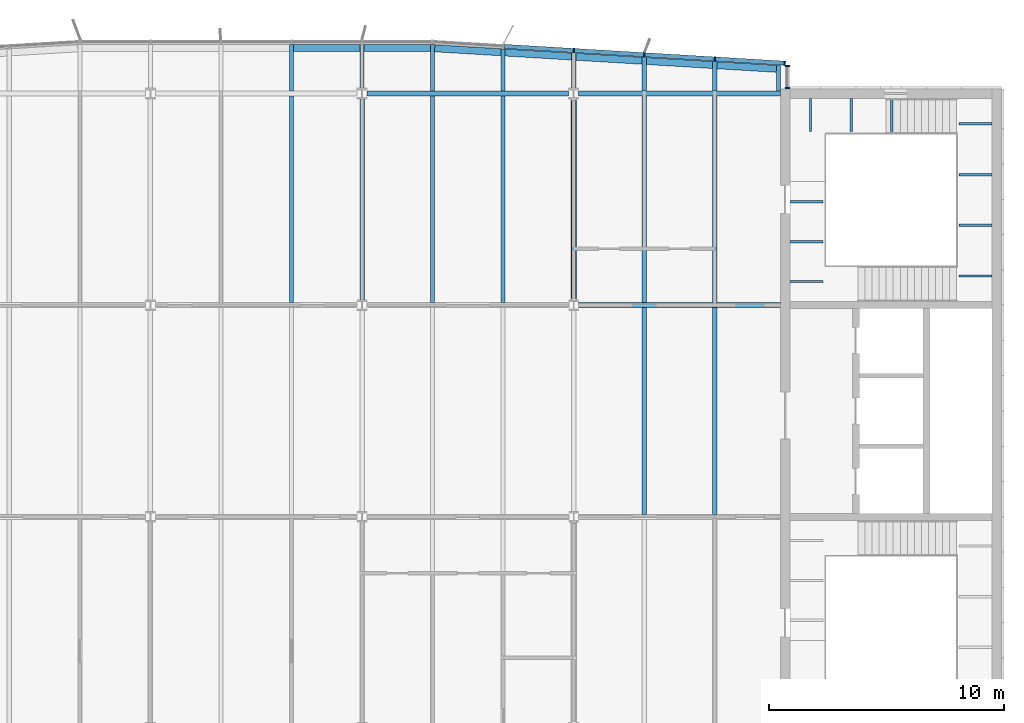
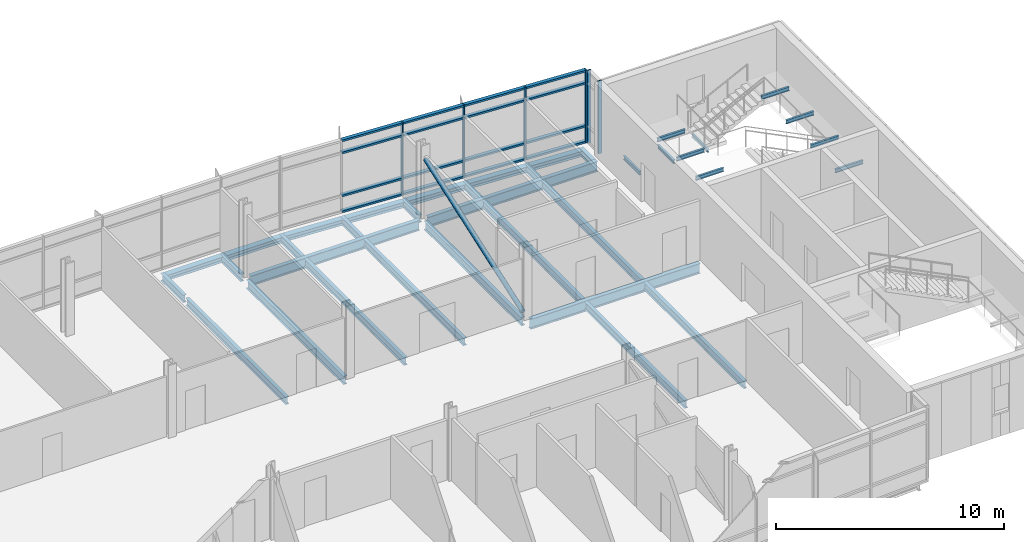
# One storey, part 7 of 17: 37 beams, 23 members, 2 elements without a shape of their own.
"""IFC4 building model written with IfcOpenShell, lengths in metres."""

from ifc_helpers import new_model, si_unit, direction, frame, origin, origin_2d, place, context, subcontext, project, spatial, rectangle, hollow_circle, i_section, extrude, material, material_profile, profile_set, type_object, element, aggregate, save


model = new_model("IFC4")

# Units and contexts
model_context = context("Model", 3, precision=1e-05, world=origin(), true_north=direction((0.0, 1.0)))
body_context = subcontext(model_context, "Body", "Model", "MODEL_VIEW")
ifc_project = project(units=[si_unit("LENGTHUNIT", "METRE"), si_unit("AREAUNIT", "SQUARE_METRE"), si_unit("VOLUMEUNIT", "CUBIC_METRE"), si_unit("PLANEANGLEUNIT", "RADIAN"), si_unit("MASSUNIT", "GRAM", prefix="KILO")], contexts=[model_context])

# Site, building, storey
site_placement = place(None, origin())
site = spatial("IfcSite", under=ifc_project, at=site_placement, CompositionType="ELEMENT")
building_placement = place(site_placement, origin())
building = spatial("IfcBuilding", under=site, at=building_placement, Name="Azimuth Sports and Learning Centre", CompositionType="ELEMENT")
storey_placement = place(building_placement, frame((0.0, 0.0, 36.300048828125)))
storey = spatial("IfcBuildingStorey", under=building, at=storey_placement, Name="L07", CompositionType="ELEMENT", Elevation=36.300048828125)

# Beams
ifc_material_1 = material(Name="Steel S355", Category="steel")
ifc_material_profile_1 = material_profile(ifc_material_1, i_section(OverallWidth=0.10009765625, OverallDepth=0.199951171875, WebThickness=0.005615234375, FlangeThickness=0.008544921875, FilletRadius=0.011962890625, at=origin_2d()), Name="IPE 200")
ifc_profile_set_1 = profile_set([ifc_material_profile_1], Name="Steel S355")
beam_type_1 = type_object("IfcBeamType", Name="Beam IPE 200", PredefinedType="BEAM", material=ifc_profile_set_1)
for number, where, z_axis, x_axis, name in (
    (1, (109.0732421875, 116.800048828125, -0.300048828125), (0.0, -1.0, 0.0), (1.0, 0.0, 0.0), "Landing bracket E2 L07 603"),
    (2, (110.800048828125, 116.800048828125, -0.300048828125), (0.0, -1.0, 0.0), (1.0, 0.0, 0.0), "Landing bracket E2 L07 604"),
    (3, (112.526611328125, 116.800048828125, -0.300048828125), (0.0, -1.0, 0.0), (1.0, 0.0, 0.0), "Landing bracket E2 L07 605"),
    (4, (116.800048828125, 109.23876953125, 1.349853515625), (-1.0, 0.0, 0.0), (0.0, -1.0, 0.0), "Landing bracket E2 L07 606"),
    (5, (116.800048828125, 111.396240234375, 1.349853515625), (-1.0, 0.0, 0.0), (0.0, -1.0, 0.0), "Landing bracket E2 L07 607"),
    (6, (116.800048828125, 113.5537109375, 1.349853515625), (-1.0, 0.0, 0.0), (0.0, -1.0, 0.0), "Landing bracket E2 L07 608"),
    (7, (116.800048828125, 115.711181640625, 1.349853515625), (-1.0, 0.0, 0.0), (0.0, -1.0, 0.0), "Landing bracket E2 L07 609"),
    (8, (108.199951171875, 109.00830078125, 3.599853515625), (1.0, 0.0, 0.0), (0.0, 1.0, 0.0), "Landing bracket E2 L07 610"),
    (9, (108.199951171875, 110.705078125, 3.599853515625), (1.0, 0.0, 0.0), (0.0, 1.0, 0.0), "Landing bracket E2 L07 611"),
    (10, (108.199951171875, 112.401611328125, 3.599853515625), (1.0, 0.0, 0.0), (0.0, 1.0, 0.0), "Landing bracket E2 L07 612"),
):
    element("IfcBeam", number, at=place(storey_placement, frame(where, z_axis=z_axis, x_axis=x_axis)), inside=storey, type_object=beam_type_1, Name=name, PredefinedType="BEAM", context=body_context, shape_type="SweptSolid", body=[
        extrude(i_section(OverallWidth=0.10009765625, OverallDepth=0.199951171875, WebThickness=0.005615234375, FlangeThickness=0.008544921875, FilletRadius=0.011962890625, at=origin_2d()), origin(), (0.0, 0.0, 1.0), 1.41015625),
    ])
ifc_material_2 = material(Name="Steel S355", Category="steel")
ifc_material_profile_2 = material_profile(ifc_material_2, i_section(OverallWidth=0.18994140625, OverallDepth=0.449951171875, WebThickness=0.009521484375, FlangeThickness=0.0146484375, FilletRadius=0.02099609375, at=origin_2d()), Name="IPE 450")
ifc_profile_set_2 = profile_set([ifc_material_profile_2], Name="Steel S355")
beam_type_2 = type_object("IfcBeamType", Name="Beam IPE 450", PredefinedType="BEAM", material=ifc_profile_set_2)
for number, where, z_axis, x_axis, name in (
    (11, (90.0, 108.217529296875, -0.35498046875), (0.0, 1.0, 0.0), (-1.0, 0.0, 0.0), "Tower tie"),
    (12, (99.0, 108.217529296875, -0.35498046875), (0.0, 1.0, 0.0), (-1.0, 0.0, 0.0), "Tower tie"),
):
    element("IfcBeam", number, at=place(storey_placement, frame(where, z_axis=z_axis, x_axis=x_axis)), inside=storey, type_object=beam_type_2, Name=name, PredefinedType="BEAM", context=body_context, shape_type="SweptSolid", body=[
        extrude(i_section(OverallWidth=0.18994140625, OverallDepth=0.449951171875, WebThickness=0.009521484375, FlangeThickness=0.0146484375, FilletRadius=0.02099609375, at=origin_2d()), origin(), (0.0, 0.0, 1.0), 8.54541015625),
    ])
ifc_material_3 = material(Name="Steel S355", Category="steel")
ifc_material_profile_3 = material_profile(ifc_material_3, i_section(OverallWidth=0.2099609375, OverallDepth=0.550048828125, WebThickness=0.010986328125, FlangeThickness=0.01708984375, FilletRadius=0.02392578125, at=origin_2d()), Name="IPE 550")
ifc_profile_set_3 = profile_set([ifc_material_profile_3], Name="Steel S355")
beam_type_3 = type_object("IfcBeamType", Name="Beam IPE 550", PredefinedType="BEAM", material=ifc_profile_set_3)
beam_1_placement = place(storey_placement, frame((99.2060546875, 108.0, -0.405029296875), z_axis=(1.0, 0.0, 0.0), x_axis=(0.0, 1.0, 0.0)))
element("IfcBeam", 13, at=beam_1_placement, inside=storey, type_object=beam_type_3, Name="Tower girder L07", PredefinedType="BEAM", context=body_context, shape_type="SweptSolid", body=[
    extrude(i_section(OverallWidth=0.2099609375, OverallDepth=0.550048828125, WebThickness=0.010986328125, FlangeThickness=0.01708984375, FilletRadius=0.02392578125, at=origin_2d()), origin(), (0.0, 0.0, 1.0), 8.593994140625),
])
beam_2_placement = place(storey_placement, frame((90.2119140625, 117.0, -0.405029296875), z_axis=(1.0, 0.0, 0.0), x_axis=(0.0, 1.0, 0.0)))
element("IfcBeam", 14, at=beam_2_placement, inside=storey, type_object=beam_type_3, Name="Tower girder L07", PredefinedType="BEAM", context=body_context, shape_type="SweptSolid", body=[
    extrude(i_section(OverallWidth=0.2099609375, OverallDepth=0.550048828125, WebThickness=0.010986328125, FlangeThickness=0.01708984375, FilletRadius=0.02392578125, at=origin_2d()), origin(), (0.0, 0.0, 1.0), 8.576171875),
])
beam_3_placement = place(storey_placement, frame((99.2119140625, 117.0, -0.405029296875), z_axis=(1.0, 0.0, 0.0), x_axis=(0.0, 1.0, 0.0)))
element("IfcBeam", 15, at=beam_3_placement, inside=storey, type_object=beam_type_3, Name="Tower girder L07", PredefinedType="BEAM", context=body_context, shape_type="SweptSolid", body=[
    extrude(i_section(OverallWidth=0.2099609375, OverallDepth=0.550048828125, WebThickness=0.010986328125, FlangeThickness=0.01708984375, FilletRadius=0.02392578125, at=origin_2d()), origin(), (0.0, 0.0, 1.0), 8.588134765625),
])

# Member
ifc_material_4 = material(Name="Steel S355", Category="steel")
ifc_material_profile_4 = material_profile(ifc_material_4, hollow_circle(Radius=0.122314453125, WallThickness=0.012451171875, at=origin_2d()), Name="CHS 244.5x12.5")
ifc_profile_set_4 = profile_set([ifc_material_profile_4], Name="Steel S355")
member_type_1 = type_object("IfcMemberType", Name="Brace CHS 244.5x12.5", PredefinedType="BRACE", material=ifc_profile_set_4)
member_1_placement = place(storey_placement, frame((99.0, 108.238037109375, 0.16943359375), z_axis=(0.0, 0.943699867633, 0.330802901785), x_axis=(-1.0, 0.0, 0.0)))
element("IfcMember", 16, at=member_1_placement, inside=storey, type_object=member_type_1, Name="Tower brace 12 L07", PredefinedType="BRACE", context=body_context, shape_type="SweptSolid", body=[
    extrude(hollow_circle(Radius=0.122314453125, WallThickness=0.012451171875, at=origin_2d()), origin(), (0.0, 0.0, 1.0), 9.011962890625),
])

# Beams
ifc_material_5 = material(Name="Steel S355", Category="steel")
ifc_material_profile_5 = material_profile(ifc_material_5, i_section(OverallWidth=0.179931640625, OverallDepth=0.39990234375, WebThickness=0.008544921875, FlangeThickness=0.013427734375, FilletRadius=0.02099609375, at=origin_2d()), Name="IPE 400")
ifc_profile_set_5 = profile_set([ifc_material_profile_5], Name="Steel S355")
beam_type_4 = type_object("IfcBeamType", Name="Cantilever stub IPE 400", PredefinedType="JOIST", material=ifc_profile_set_5)
beam_4_placement = place(storey_placement, frame((87.0, 117.10498046875, -0.330078125), z_axis=(0.0, 1.0, 0.0), x_axis=(-1.0, 0.0, 0.0)))
element("IfcBeam", 17, at=beam_4_placement, inside=storey, type_object=beam_type_4, Name="Tower cantilever stub", PredefinedType="JOIST", context=body_context, shape_type="SweptSolid", body=[
    extrude(i_section(OverallWidth=0.179931640625, OverallDepth=0.39990234375, WebThickness=0.008544921875, FlangeThickness=0.013427734375, FilletRadius=0.02099609375, at=origin_2d()), origin(), (0.0, 0.0, 1.0), 1.97509765625),
])
beam_5_placement = place(storey_placement, frame((90.0, 117.237060546875, -0.330078125), z_axis=(0.0, 1.0, 0.0), x_axis=(-1.0, 0.0, 0.0)))
element("IfcBeam", 18, at=beam_5_placement, inside=storey, type_object=beam_type_4, Name="Tower cantilever stub", PredefinedType="JOIST", context=body_context, shape_type="SweptSolid", body=[
    extrude(i_section(OverallWidth=0.179931640625, OverallDepth=0.39990234375, WebThickness=0.008544921875, FlangeThickness=0.013427734375, FilletRadius=0.02099609375, at=origin_2d()), origin(), (0.0, 0.0, 1.0), 1.843017578125),
])
beam_6_placement = place(storey_placement, frame((93.0, 117.10498046875, -0.330078125), z_axis=(0.0, 1.0, 0.0), x_axis=(-1.0, 0.0, 0.0)))
element("IfcBeam", 19, at=beam_6_placement, inside=storey, type_object=beam_type_4, Name="Tower cantilever stub", PredefinedType="JOIST", context=body_context, shape_type="SweptSolid", body=[
    extrude(i_section(OverallWidth=0.179931640625, OverallDepth=0.39990234375, WebThickness=0.008544921875, FlangeThickness=0.013427734375, FilletRadius=0.02099609375, at=origin_2d()), origin(), (0.0, 0.0, 1.0), 1.97509765625),
])
beam_7_placement = place(storey_placement, frame((96.0, 117.10498046875, -0.330078125), z_axis=(0.0, 1.0, 0.0), x_axis=(-1.0, 0.0, 0.0)))
element("IfcBeam", 20, at=beam_7_placement, inside=storey, type_object=beam_type_4, Name="Tower cantilever stub", PredefinedType="JOIST", context=body_context, shape_type="SweptSolid", body=[
    extrude(i_section(OverallWidth=0.179931640625, OverallDepth=0.39990234375, WebThickness=0.008544921875, FlangeThickness=0.013427734375, FilletRadius=0.02099609375, at=origin_2d()), origin(), (0.0, 0.0, 1.0), 1.794921875),
])
beam_8_placement = place(storey_placement, frame((99.0, 117.237060546875, -0.330078125), z_axis=(0.0, 1.0, 0.0), x_axis=(-1.0, 0.0, 0.0)))
element("IfcBeam", 21, at=beam_8_placement, inside=storey, type_object=beam_type_4, Name="Tower cantilever stub", PredefinedType="JOIST", context=body_context, shape_type="SweptSolid", body=[
    extrude(i_section(OverallWidth=0.179931640625, OverallDepth=0.39990234375, WebThickness=0.008544921875, FlangeThickness=0.013427734375, FilletRadius=0.02099609375, at=origin_2d()), origin(), (0.0, 0.0, 1.0), 1.48291015625),
])
beam_9_placement = place(storey_placement, frame((102.0, 117.10498046875, -0.330078125), z_axis=(0.0, 1.0, 0.0), x_axis=(-1.0, 0.0, 0.0)))
element("IfcBeam", 22, at=beam_9_placement, inside=storey, type_object=beam_type_4, Name="Tower cantilever stub", PredefinedType="JOIST", context=body_context, shape_type="SweptSolid", body=[
    extrude(i_section(OverallWidth=0.179931640625, OverallDepth=0.39990234375, WebThickness=0.008544921875, FlangeThickness=0.013427734375, FilletRadius=0.02099609375, at=origin_2d()), origin(), (0.0, 0.0, 1.0), 1.43505859375),
])
beam_10_placement = place(storey_placement, frame((105.0, 117.10498046875, -0.330078125), z_axis=(0.0, 1.0, 0.0), x_axis=(-1.0, 0.0, 0.0)))
element("IfcBeam", 23, at=beam_10_placement, inside=storey, type_object=beam_type_4, Name="Tower cantilever stub", PredefinedType="JOIST", context=body_context, shape_type="SweptSolid", body=[
    extrude(i_section(OverallWidth=0.179931640625, OverallDepth=0.39990234375, WebThickness=0.008544921875, FlangeThickness=0.013427734375, FilletRadius=0.02099609375, at=origin_2d()), origin(), (0.0, 0.0, 1.0), 1.255126953125),
])
beam_11_placement = place(storey_placement, frame((107.7099609375, 117.10498046875, -0.330078125), z_axis=(0.0, 1.0, 0.0), x_axis=(-1.0, 0.0, 0.0)))
element("IfcBeam", 24, at=beam_11_placement, inside=storey, type_object=beam_type_4, Name="Tower cantilever stub", PredefinedType="JOIST", context=body_context, shape_type="SweptSolid", body=[
    extrude(i_section(OverallWidth=0.179931640625, OverallDepth=0.39990234375, WebThickness=0.008544921875, FlangeThickness=0.013427734375, FilletRadius=0.02099609375, at=origin_2d()), origin(), (0.0, 0.0, 1.0), 1.092529296875),
])
ifc_material_6 = material(Name="Steel S355", Category="steel")
ifc_material_profile_6 = material_profile(ifc_material_6, i_section(OverallWidth=0.300048828125, OverallDepth=0.2900390625, WebThickness=0.008544921875, FlangeThickness=0.013916015625, FilletRadius=0.027099609375, at=origin_2d()), Name="HEA 300")
ifc_profile_set_6 = profile_set([ifc_material_profile_6], Name="Steel S355")
beam_type_5 = type_object("IfcBeamType", Name="Edge beam HEA 300", PredefinedType="SPANDREL", material=ifc_profile_set_6)
for number, where, z_axis, x_axis, name in (
    (25, (87.090087890625, 118.929931640625, -0.275146484375), (1.0, 0.0, 0.0), (0.0, 1.0, 0.0), "Tower edge beam"),
    (26, (90.090087890625, 118.929931640625, -0.275146484375), (1.0, 0.0, 0.0), (0.0, 1.0, 0.0), "Tower edge beam"),
):
    element("IfcBeam", number, at=place(storey_placement, frame(where, z_axis=z_axis, x_axis=x_axis)), inside=storey, type_object=beam_type_5, Name=name, PredefinedType="SPANDREL", context=body_context, shape_type="SweptSolid", body=[
        extrude(i_section(OverallWidth=0.300048828125, OverallDepth=0.2900390625, WebThickness=0.008544921875, FlangeThickness=0.013916015625, FilletRadius=0.027099609375, at=origin_2d()), origin(), (0.0, 0.0, 1.0), 2.81982421875),
    ])
for number, where, z_axis, x_axis, name in (
    (27, (93.090087890625, 118.924560546875, -0.275146484375), (0.998204845466, -0.059892290728, 0.0), (0.059892290728, 0.998204845466, 0.0), "Tower edge beam"),
    (28, (96.090087890625, 118.74462890625, -0.275146484375), (0.998204845466, -0.059892290728, 0.0), (0.059892290728, 0.998204845466, 0.0), "Tower edge beam"),
    (29, (99.090087890625, 118.564697265625, -0.275146484375), (0.998204845466, -0.059892290728, 0.0), (0.059892290728, 0.998204845466, 0.0), "Tower edge beam"),
    (30, (102.090087890625, 118.384521484375, -0.275146484375), (0.998204845466, -0.059892290728, 0.0), (0.059892290728, 0.998204845466, 0.0), "Tower edge beam"),
):
    element("IfcBeam", number, at=place(storey_placement, frame(where, z_axis=z_axis, x_axis=x_axis)), inside=storey, type_object=beam_type_5, Name=name, PredefinedType="SPANDREL", context=body_context, shape_type="SweptSolid", body=[
        extrude(i_section(OverallWidth=0.300048828125, OverallDepth=0.2900390625, WebThickness=0.008544921875, FlangeThickness=0.013916015625, FilletRadius=0.027099609375, at=origin_2d()), origin(), (0.0, 0.0, 1.0), 2.824951171875),
    ])
beam_12_placement = place(storey_placement, frame((105.090087890625, 118.20458984375, -0.275146484375), z_axis=(0.998203578329, -0.059913405937, 0.0), x_axis=(0.059913405937, 0.998203578329, 0.0)))
element("IfcBeam", 31, at=beam_12_placement, inside=storey, type_object=beam_type_5, Name="Tower edge beam", PredefinedType="SPANDREL", context=body_context, shape_type="SweptSolid", body=[
    extrude(i_section(OverallWidth=0.300048828125, OverallDepth=0.2900390625, WebThickness=0.008544921875, FlangeThickness=0.013916015625, FilletRadius=0.027099609375, at=origin_2d()), origin(), (0.0, 0.0, 1.0), 2.53466796875),
])
ifc_material_7 = material(Name="Steel S355", Category="steel")
ifc_material_profile_7 = material_profile(ifc_material_7, i_section(OverallWidth=0.179931640625, OverallDepth=0.39990234375, WebThickness=0.008544921875, FlangeThickness=0.013427734375, FilletRadius=0.02099609375, at=origin_2d()), Name="IPE 400")
ifc_profile_set_7 = profile_set([ifc_material_profile_7], Name="Steel S355")
beam_type_6 = type_object("IfcBeamType", Name="Joist IPE 400", PredefinedType="JOIST", material=ifc_profile_set_7)
for number, where, z_axis, x_axis, name in (
    (32, (87.0, 108.10498046875, -0.330078125), (0.0, 1.0, 0.0), (-1.0, 0.0, 0.0), "Tower joist"),
    (33, (93.0, 108.10498046875, -0.330078125), (0.0, 1.0, 0.0), (-1.0, 0.0, 0.0), "Tower joist"),
    (34, (96.0, 108.10498046875, -0.330078125), (0.0, 1.0, 0.0), (-1.0, 0.0, 0.0), "Tower joist"),
    (35, (102.0, 99.10498046875, -0.330078125), (0.0, 1.0, 0.0), (-1.0, 0.0, 0.0), "Tower joist"),
    (36, (102.0, 108.10498046875, -0.330078125), (0.0, 1.0, 0.0), (-1.0, 0.0, 0.0), "Tower joist"),
    (37, (105.0, 99.10498046875, -0.330078125), (0.0, 1.0, 0.0), (-1.0, 0.0, 0.0), "Tower joist"),
    (38, (105.0, 108.10498046875, -0.330078125), (0.0, 1.0, 0.0), (-1.0, 0.0, 0.0), "Tower joist"),
):
    element("IfcBeam", number, at=place(storey_placement, frame(where, z_axis=z_axis, x_axis=x_axis)), inside=storey, type_object=beam_type_6, Name=name, PredefinedType="JOIST", context=body_context, shape_type="SweptSolid", body=[
        extrude(i_section(OverallWidth=0.179931640625, OverallDepth=0.39990234375, WebThickness=0.008544921875, FlangeThickness=0.013427734375, FilletRadius=0.02099609375, at=origin_2d()), origin(), (0.0, 0.0, 1.0), 8.7900390625),
    ])

# Curtain wall, members
ifc_material_8 = material(Name="Aluminium and glass", Category="aluminium")
curtain_wall_type_1 = type_object("IfcCurtainWallType", Name="Curtain wall tower return 180", PredefinedType="NOTDEFINED", material=ifc_material_8)
curtain_wall_1_placement = place(storey_placement, origin())
curtain_wall_1 = element("IfcCurtainWall", 39, at=curtain_wall_1_placement, inside=storey, type_object=curtain_wall_type_1, Name="Curtain wall CW07-006", PredefinedType="NOTDEFINED")
ifc_material_9 = material(Name="Aluminium", Category="aluminium")
ifc_material_profile_8 = material_profile(ifc_material_9, rectangle(XDim=0.179931640625, YDim=0.06005859375, at=origin_2d()), Name="Mullion 60x180")
ifc_profile_set_8 = profile_set([ifc_material_profile_8], Name="Aluminium")
member_type_2 = type_object("IfcMemberType", Name="Mullion 60x180", PredefinedType="MULLION", material=ifc_profile_set_8)
member_2_placement = place(storey_placement, frame((108.090087890625, 117.22998046875, 0.0), z_axis=(0.0, 0.0, 1.0), x_axis=(-1.0, 0.0, 0.0)))
member_2 = element("IfcMember", 40, at=member_2_placement, type_object=member_type_2, Name="CW07-006 mullion 1", PredefinedType="MULLION", context=body_context, shape_type="SweptSolid", body=[
    extrude(rectangle(XDim=0.179931640625, YDim=0.06005859375, at=origin_2d()), origin(), (0.0, 0.0, 1.0), 3.89990234375),
])
member_3_placement = place(storey_placement, frame((108.090087890625, 118.169921875, 0.0), z_axis=(0.0, 0.0, 1.0), x_axis=(-1.0, 0.0, 0.0)))
member_3 = element("IfcMember", 41, at=member_3_placement, type_object=member_type_2, Name="CW07-006 mullion 2", PredefinedType="MULLION", context=body_context, shape_type="SweptSolid", body=[
    extrude(rectangle(XDim=0.179931640625, YDim=0.06005859375, at=origin_2d()), origin(), (0.0, 0.0, 1.0), 3.89990234375),
])
aggregate(curtain_wall_1, [member_2, member_3])

ifc_material_10 = material(Name="Aluminium and glass", Category="aluminium")
curtain_wall_type_2 = type_object("IfcCurtainWallType", Name="Curtain wall tower north 180", PredefinedType="NOTDEFINED", material=ifc_material_10)
curtain_wall_2_placement = place(storey_placement, origin())
curtain_wall_2 = element("IfcCurtainWall", 42, at=curtain_wall_2_placement, inside=storey, type_object=curtain_wall_type_2, Name="Curtain wall CW07-007", PredefinedType="NOTDEFINED")
member_4_placement = place(storey_placement, frame((107.975341796875, 118.291748046875, 0.0), z_axis=(0.0, 0.0, 1.0), x_axis=(-0.059891991812, -0.998204863401, 0.0)))
member_4 = element("IfcMember", 43, at=member_4_placement, type_object=member_type_2, Name="CW07-007 mullion 1", PredefinedType="MULLION", context=body_context, shape_type="SweptSolid", body=[
    extrude(rectangle(XDim=0.179931640625, YDim=0.06005859375, at=origin_2d()), origin(), (0.0, 0.0, 1.0), 3.89990234375),
])
member_5_placement = place(storey_placement, frame((105.00537109375, 118.4697265625, 0.0), z_axis=(0.0, 0.0, 1.0), x_axis=(-0.059891991812, -0.998204863401, 0.0)))
member_5 = element("IfcMember", 44, at=member_5_placement, type_object=member_type_2, Name="CW07-007 mullion 2", PredefinedType="MULLION", context=body_context, shape_type="SweptSolid", body=[
    extrude(rectangle(XDim=0.179931640625, YDim=0.06005859375, at=origin_2d()), origin(), (0.0, 0.0, 1.0), 3.89990234375),
])
member_6_placement = place(storey_placement, frame((102.00537109375, 118.64990234375, 0.0), z_axis=(0.0, 0.0, 1.0), x_axis=(-0.059891991812, -0.998204863401, 0.0)))
member_6 = element("IfcMember", 45, at=member_6_placement, type_object=member_type_2, Name="CW07-007 mullion 3", PredefinedType="MULLION", context=body_context, shape_type="SweptSolid", body=[
    extrude(rectangle(XDim=0.179931640625, YDim=0.06005859375, at=origin_2d()), origin(), (0.0, 0.0, 1.0), 3.89990234375),
])
member_7_placement = place(storey_placement, frame((99.00537109375, 118.829833984375, 0.0), z_axis=(0.0, 0.0, 1.0), x_axis=(-0.059891991812, -0.998204863401, 0.0)))
member_7 = element("IfcMember", 46, at=member_7_placement, type_object=member_type_2, Name="CW07-007 mullion 4", PredefinedType="MULLION", context=body_context, shape_type="SweptSolid", body=[
    extrude(rectangle(XDim=0.179931640625, YDim=0.06005859375, at=origin_2d()), origin(), (0.0, 0.0, 1.0), 3.89990234375),
])
ifc_material_11 = material(Name="Aluminium", Category="aluminium")
ifc_material_profile_9 = material_profile(ifc_material_11, rectangle(XDim=0.179931640625, YDim=0.10009765625, at=origin_2d()), Name="Transom 100x180")
ifc_profile_set_9 = profile_set([ifc_material_profile_9], Name="Aluminium")
member_type_3 = type_object("IfcMemberType", Name="Transom 100x180", PredefinedType="USERDEFINED", material=ifc_profile_set_9)
member_8_placement = place(storey_placement, frame((107.945556640625, 118.29345703125, 0.050048828125), z_axis=(-0.998205846627, 0.059875602377, 0.0), x_axis=(-0.059875602377, -0.998205846627, 0.0)))
member_8 = element("IfcMember", 47, at=member_8_placement, type_object=member_type_3, Name="CW07-007 transom 1.1", ObjectType="TRANSOM", PredefinedType="USERDEFINED", context=body_context, shape_type="SweptSolid", body=[
    extrude(rectangle(XDim=0.179931640625, YDim=0.10009765625, at=origin_2d()), origin(), (0.0, 0.0, 1.0), 2.915283203125),
])
member_9_placement = place(storey_placement, frame((107.945556640625, 118.29345703125, 0.89990234375), z_axis=(-0.998205846627, 0.059875602377, 0.0), x_axis=(-0.059875602377, -0.998205846627, 0.0)))
member_9 = element("IfcMember", 48, at=member_9_placement, type_object=member_type_3, Name="CW07-007 transom 1.2", ObjectType="TRANSOM", PredefinedType="USERDEFINED", context=body_context, shape_type="SweptSolid", body=[
    extrude(rectangle(XDim=0.179931640625, YDim=0.10009765625, at=origin_2d()), origin(), (0.0, 0.0, 1.0), 2.915283203125),
])
member_10_placement = place(storey_placement, frame((107.945556640625, 118.29345703125, 3.199951171875), z_axis=(-0.998205846627, 0.059875602377, 0.0), x_axis=(-0.059875602377, -0.998205846627, 0.0)))
member_10 = element("IfcMember", 49, at=member_10_placement, type_object=member_type_3, Name="CW07-007 transom 1.3", ObjectType="TRANSOM", PredefinedType="USERDEFINED", context=body_context, shape_type="SweptSolid", body=[
    extrude(rectangle(XDim=0.179931640625, YDim=0.10009765625, at=origin_2d()), origin(), (0.0, 0.0, 1.0), 2.915283203125),
])
member_11_placement = place(storey_placement, frame((107.945556640625, 118.29345703125, 3.849853515625), z_axis=(-0.998205846627, 0.059875602377, 0.0), x_axis=(-0.059875602377, -0.998205846627, 0.0)))
member_11 = element("IfcMember", 50, at=member_11_placement, type_object=member_type_3, Name="CW07-007 transom 1.4", ObjectType="TRANSOM", PredefinedType="USERDEFINED", context=body_context, shape_type="SweptSolid", body=[
    extrude(rectangle(XDim=0.179931640625, YDim=0.10009765625, at=origin_2d()), origin(), (0.0, 0.0, 1.0), 2.915283203125),
])
member_12_placement = place(storey_placement, frame((104.975341796875, 118.4716796875, 0.050048828125), z_axis=(-0.998207421552, 0.059849340505, 0.0), x_axis=(-0.059849340505, -0.998207421552, 0.0)))
member_12 = element("IfcMember", 51, at=member_12_placement, type_object=member_type_3, Name="CW07-007 transom 2.1", ObjectType="TRANSOM", PredefinedType="USERDEFINED", context=body_context, shape_type="SweptSolid", body=[
    extrude(rectangle(XDim=0.179931640625, YDim=0.10009765625, at=origin_2d()), origin(), (0.0, 0.0, 1.0), 2.9453125),
])
member_13_placement = place(storey_placement, frame((104.975341796875, 118.4716796875, 0.89990234375), z_axis=(-0.998207421552, 0.059849340505, 0.0), x_axis=(-0.059849340505, -0.998207421552, 0.0)))
member_13 = element("IfcMember", 52, at=member_13_placement, type_object=member_type_3, Name="CW07-007 transom 2.2", ObjectType="TRANSOM", PredefinedType="USERDEFINED", context=body_context, shape_type="SweptSolid", body=[
    extrude(rectangle(XDim=0.179931640625, YDim=0.10009765625, at=origin_2d()), origin(), (0.0, 0.0, 1.0), 2.9453125),
])
member_14_placement = place(storey_placement, frame((104.975341796875, 118.4716796875, 3.199951171875), z_axis=(-0.998207421552, 0.059849340505, 0.0), x_axis=(-0.059849340505, -0.998207421552, 0.0)))
member_14 = element("IfcMember", 53, at=member_14_placement, type_object=member_type_3, Name="CW07-007 transom 2.3", ObjectType="TRANSOM", PredefinedType="USERDEFINED", context=body_context, shape_type="SweptSolid", body=[
    extrude(rectangle(XDim=0.179931640625, YDim=0.10009765625, at=origin_2d()), origin(), (0.0, 0.0, 1.0), 2.9453125),
])
member_15_placement = place(storey_placement, frame((104.975341796875, 118.4716796875, 3.849853515625), z_axis=(-0.998207421552, 0.059849340505, 0.0), x_axis=(-0.059849340505, -0.998207421552, 0.0)))
member_15 = element("IfcMember", 54, at=member_15_placement, type_object=member_type_3, Name="CW07-007 transom 2.4", ObjectType="TRANSOM", PredefinedType="USERDEFINED", context=body_context, shape_type="SweptSolid", body=[
    extrude(rectangle(XDim=0.179931640625, YDim=0.10009765625, at=origin_2d()), origin(), (0.0, 0.0, 1.0), 2.9453125),
])
member_16_placement = place(storey_placement, frame((101.975341796875, 118.651611328125, 0.050048828125), z_axis=(-0.998202465912, 0.059931936792, 0.0), x_axis=(-0.059931936792, -0.998202465912, 0.0)))
member_16 = element("IfcMember", 55, at=member_16_placement, type_object=member_type_3, Name="CW07-007 transom 3.1", ObjectType="TRANSOM", PredefinedType="USERDEFINED", context=body_context, shape_type="SweptSolid", body=[
    extrude(rectangle(XDim=0.179931640625, YDim=0.10009765625, at=origin_2d()), origin(), (0.0, 0.0, 1.0), 2.9453125),
])
member_17_placement = place(storey_placement, frame((101.975341796875, 118.651611328125, 0.89990234375), z_axis=(-0.998202465912, 0.059931936792, 0.0), x_axis=(-0.059931936792, -0.998202465912, 0.0)))
member_17 = element("IfcMember", 56, at=member_17_placement, type_object=member_type_3, Name="CW07-007 transom 3.2", ObjectType="TRANSOM", PredefinedType="USERDEFINED", context=body_context, shape_type="SweptSolid", body=[
    extrude(rectangle(XDim=0.179931640625, YDim=0.10009765625, at=origin_2d()), origin(), (0.0, 0.0, 1.0), 2.9453125),
])
member_18_placement = place(storey_placement, frame((101.975341796875, 118.651611328125, 3.199951171875), z_axis=(-0.998202465912, 0.059931936792, 0.0), x_axis=(-0.059931936792, -0.998202465912, 0.0)))
member_18 = element("IfcMember", 57, at=member_18_placement, type_object=member_type_3, Name="CW07-007 transom 3.3", ObjectType="TRANSOM", PredefinedType="USERDEFINED", context=body_context, shape_type="SweptSolid", body=[
    extrude(rectangle(XDim=0.179931640625, YDim=0.10009765625, at=origin_2d()), origin(), (0.0, 0.0, 1.0), 2.9453125),
])
member_19_placement = place(storey_placement, frame((101.975341796875, 118.651611328125, 3.849853515625), z_axis=(-0.998202465912, 0.059931936792, 0.0), x_axis=(-0.059931936792, -0.998202465912, 0.0)))
member_19 = element("IfcMember", 58, at=member_19_placement, type_object=member_type_3, Name="CW07-007 transom 3.4", ObjectType="TRANSOM", PredefinedType="USERDEFINED", context=body_context, shape_type="SweptSolid", body=[
    extrude(rectangle(XDim=0.179931640625, YDim=0.10009765625, at=origin_2d()), origin(), (0.0, 0.0, 1.0), 2.9453125),
])
member_20_placement = place(storey_placement, frame((98.975341796875, 118.83154296875, 0.050048828125), z_axis=(-0.998202465912, 0.059931936792, 0.0), x_axis=(-0.059931936792, -0.998202465912, 0.0)))
member_20 = element("IfcMember", 59, at=member_20_placement, type_object=member_type_3, Name="CW07-007 transom 4.1", ObjectType="TRANSOM", PredefinedType="USERDEFINED", context=body_context, shape_type="SweptSolid", body=[
    extrude(rectangle(XDim=0.179931640625, YDim=0.10009765625, at=origin_2d()), origin(), (0.0, 0.0, 1.0), 2.9453125),
])
member_21_placement = place(storey_placement, frame((98.975341796875, 118.83154296875, 0.89990234375), z_axis=(-0.998202465912, 0.059931936792, 0.0), x_axis=(-0.059931936792, -0.998202465912, 0.0)))
member_21 = element("IfcMember", 60, at=member_21_placement, type_object=member_type_3, Name="CW07-007 transom 4.2", ObjectType="TRANSOM", PredefinedType="USERDEFINED", context=body_context, shape_type="SweptSolid", body=[
    extrude(rectangle(XDim=0.179931640625, YDim=0.10009765625, at=origin_2d()), origin(), (0.0, 0.0, 1.0), 2.9453125),
])
member_22_placement = place(storey_placement, frame((98.975341796875, 118.83154296875, 3.199951171875), z_axis=(-0.998202465912, 0.059931936792, 0.0), x_axis=(-0.059931936792, -0.998202465912, 0.0)))
member_22 = element("IfcMember", 61, at=member_22_placement, type_object=member_type_3, Name="CW07-007 transom 4.3", ObjectType="TRANSOM", PredefinedType="USERDEFINED", context=body_context, shape_type="SweptSolid", body=[
    extrude(rectangle(XDim=0.179931640625, YDim=0.10009765625, at=origin_2d()), origin(), (0.0, 0.0, 1.0), 2.9453125),
])
member_23_placement = place(storey_placement, frame((98.975341796875, 118.83154296875, 3.849853515625), z_axis=(-0.998202465912, 0.059931936792, 0.0), x_axis=(-0.059931936792, -0.998202465912, 0.0)))
member_23 = element("IfcMember", 62, at=member_23_placement, type_object=member_type_3, Name="CW07-007 transom 4.4", ObjectType="TRANSOM", PredefinedType="USERDEFINED", context=body_context, shape_type="SweptSolid", body=[
    extrude(rectangle(XDim=0.179931640625, YDim=0.10009765625, at=origin_2d()), origin(), (0.0, 0.0, 1.0), 2.9453125),
])
aggregate(curtain_wall_2, [member_4, member_5, member_6, member_7, member_8, member_9, member_10, member_11, member_12, member_13, member_14, member_15, member_16, member_17, member_18, member_19, member_20, member_21, member_22, member_23])

save(model, "model.ifc")
